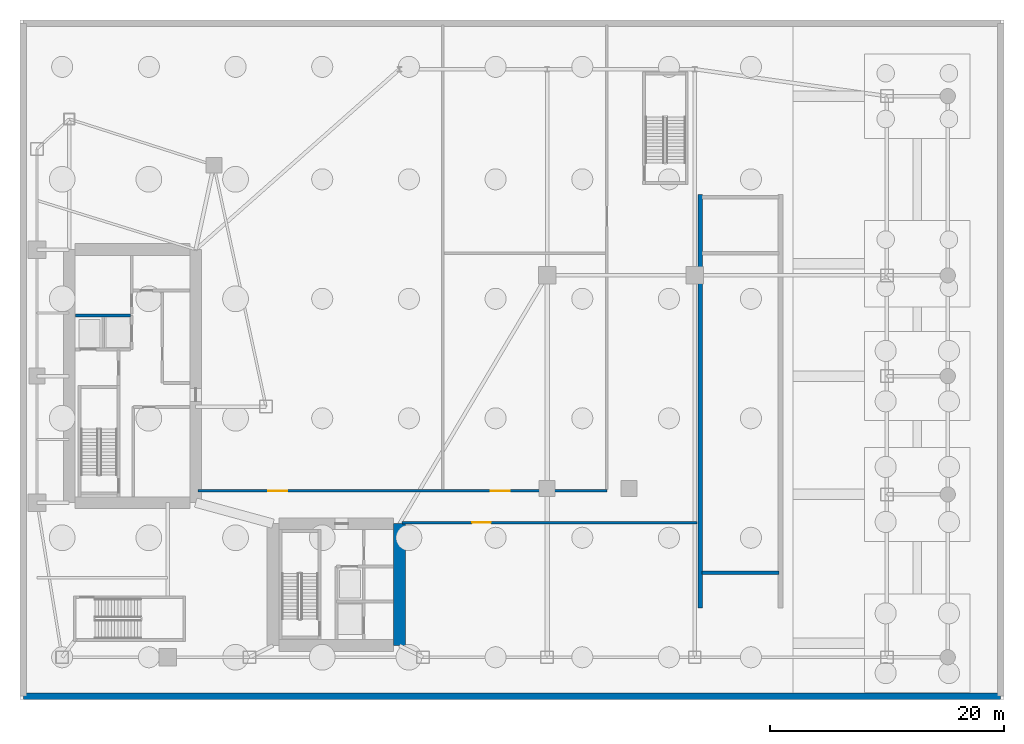
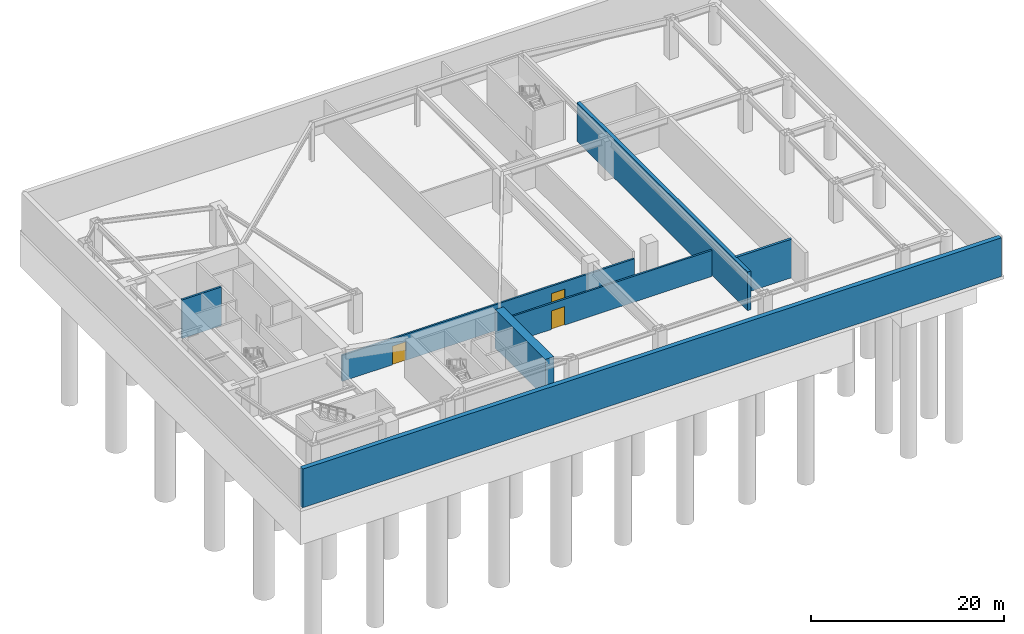
# One storey, part 6 of 12: 7 walls, 3 doors, 3 openings.
"""IFC4 building model written with IfcOpenShell, lengths in metres."""

from ifc_helpers import new_model, si_unit, direction, frame, frame_2d, origin, place, context, subcontext, project, spatial, rectangle, extrude, material, layer, layer_set, type_object, element, fill, save


model = new_model("IFC4")

# Units and contexts
model_context = context("Model", 3, precision=1e-05, world=origin(), true_north=direction((0.0, 1.0)))
body_context = subcontext(model_context, "Body", "Model", "MODEL_VIEW")
ifc_project = project(units=[si_unit("LENGTHUNIT", "METRE"), si_unit("AREAUNIT", "SQUARE_METRE"), si_unit("VOLUMEUNIT", "CUBIC_METRE"), si_unit("PLANEANGLEUNIT", "RADIAN"), si_unit("MASSUNIT", "GRAM", prefix="KILO")], contexts=[model_context])

# Site, building, storey
site_placement = place(None, origin())
site = spatial("IfcSite", under=ifc_project, at=site_placement, CompositionType="ELEMENT")
building_placement = place(site_placement, origin())
building = spatial("IfcBuilding", under=site, at=building_placement, Name="Calvorn Quay Hotel", CompositionType="ELEMENT")
storey_placement = place(building_placement, frame((0.0, 0.0, -10.39990234375)))
storey = spatial("IfcBuildingStorey", under=building, at=storey_placement, Name="B2", CompositionType="ELEMENT", Elevation=-10.39990234375)

# Walls
ifc_material_1 = material(Name="Concrete C45", Category="concrete")
ifc_layer_1 = layer(ifc_material_1, 0.550048828125)
ifc_layer_set_1 = layer_set([ifc_layer_1], Name="WL-BSM-RET-550")
wall_type_1 = type_object("IfcWallType", Name="WL-BSM-RET-550", PredefinedType="USERDEFINED", material=ifc_layer_set_1)
wall_1_placement = place(storey_placement, frame((0.280029296875, 0.280029296875, 0.0), z_axis=(0.0, 0.0, 1.0), x_axis=(1.0, 0.0, 0.0)))
element("IfcWall", 1, at=wall_1_placement, inside=storey, type_object=wall_type_1, Name="B2 Retaining Wall S", ObjectType="RETAINING", PredefinedType="USERDEFINED", context=body_context, shape_type="SweptSolid", body=[
    extrude(rectangle(XDim=83.43994140625, YDim=0.550048828125, at=frame_2d((41.719970703125, 0.0))), origin(), (0.0, 0.0, 1.0), 4.8798828125),
])
wall_2_placement = place(storey_placement, frame((58.080078125, 7.800048828125, 0.0), z_axis=(0.0, 0.0, 1.0), x_axis=(0.0, 1.0, 0.0)))
element("IfcWall", 2, at=wall_2_placement, inside=storey, type_object=wall_type_1, Name="Vehicle Ramp Cheek Wall B2-W", ObjectType="RETAINING", PredefinedType="USERDEFINED", context=body_context, shape_type="SweptSolid", body=[
    extrude(rectangle(XDim=35.300048828125, YDim=0.39990234375, at=frame_2d((17.64990234375, 0.0))), origin(), (0.0, 0.0, 1.0), 4.8798828125),
])
ifc_material_2 = material(Name="Concrete C60", Category="concrete")
ifc_layer_2 = layer(ifc_material_2, 1.0)
ifc_layer_set_2 = layer_set([ifc_layer_2], Name="WL-CORE-1000")
wall_type_2 = type_object("IfcWallType", Name="WL-CORE-1000", PredefinedType="SHEAR", material=ifc_layer_set_2)
wall_3_placement = place(storey_placement, frame((32.39990234375, 4.60009765625, 0.0), z_axis=(0.0, 0.0, 1.0), x_axis=(0.0, 1.0, 0.0)))
element("IfcWall", 3, at=wall_3_placement, inside=storey, type_object=wall_type_2, Name="East Core Shear Wall E (B2)", PredefinedType="SHEAR", context=body_context, shape_type="SweptSolid", body=[
    extrude(rectangle(XDim=10.39990234375, YDim=1.0, at=frame_2d((5.199951171875, 0.0))), origin(), (0.0, 0.0, 1.0), 4.8798828125),
])

# Wall, openings, doors
ifc_material_3 = material(Name="Autoclaved Aerated Masonry Block", Category="masonry")
ifc_layer_3 = layer(ifc_material_3, 0.219970703125)
ifc_layer_set_3 = layer_set([ifc_layer_3], Name="WL-LOBBY-FIRE-220")
wall_type_3 = type_object("IfcWallType", Name="WL-LOBBY-FIRE-220", PredefinedType="SOLIDWALL", material=ifc_layer_set_3)
wall_4_placement = place(storey_placement, frame((15.199951171875, 17.800048828125, 0.0), z_axis=(0.0, 0.0, 1.0), x_axis=(1.0, 0.0, 0.0)))
wall_4 = element("IfcWall", 4, at=wall_4_placement, inside=storey, type_object=wall_type_3, Name="Partition Wall B2-WL-B2-CN", PredefinedType="SOLIDWALL", context=body_context, shape_type="SweptSolid", body=[
    extrude(rectangle(XDim=34.900146484375, YDim=0.219970703125, at=frame_2d((17.4501953125, 0.0))), origin(), (0.0, 0.0, 1.0), 3.27978515625),
])
opening_1_placement = place(wall_4_placement, frame((6.0, 0.0, 0.0)))
opening_1 = element("IfcOpeningElement", 5, at=opening_1_placement, cuts=wall_4, Name="Opening D-B2-01", PredefinedType="OPENING", context=body_context, shape_type="SweptSolid", body=[
    extrude(rectangle(XDim=1.60009765625, YDim=2.35009765625, at=frame_2d((0.800048828125, 1.175048828125))), frame((0.0, 0.119873046875, 0.0), z_axis=(0.0, -1.0, 0.0), x_axis=(1.0, 0.0, 0.0)), (0.0, 0.0, 1.0), 0.239990234375),
])
opening_2_placement = place(wall_4_placement, frame((25.0, 0.0, 0.0)))
opening_2 = element("IfcOpeningElement", 6, at=opening_2_placement, cuts=wall_4, Name="Opening D-B2-02", PredefinedType="OPENING", context=body_context, shape_type="SweptSolid", body=[
    extrude(rectangle(XDim=1.60009765625, YDim=2.35009765625, at=frame_2d((0.800048828125, 1.175048828125))), frame((0.0, 0.119873046875, 0.0), z_axis=(0.0, -1.0, 0.0), x_axis=(1.0, 0.0, 0.0)), (0.0, 0.0, 1.0), 0.239990234375),
])
ifc_material_4 = material(Name="Heavy-Duty Steel Acoustic Plant Fire Door", Category="steel")
door_type = type_object("IfcDoorType", Name="DR-PLANT-DBL-1600", OperationType="NOTDEFINED", PredefinedType="DOOR", material=ifc_material_4)
door_1_placement = place(opening_1_placement, origin())
door_1 = element("IfcDoor", 7, at=door_1_placement, inside=storey, type_object=door_type, Name="Chiller Plant Door", OperationType="SINGLE_SWING_LEFT", OverallHeight=2.35009765625, OverallWidth=1.60009765625, PredefinedType="DOOR", context=body_context, shape_type="SweptSolid", body=[
    extrude(rectangle(XDim=1.60009765625, YDim=2.35009765625, at=frame_2d((0.800048828125, 1.175048828125))), frame((0.0, 0.02490234375, 0.0), z_axis=(0.0, -1.0, 0.0), x_axis=(1.0, 0.0, 0.0)), (0.0, 0.0, 1.0), 0.050048828125),
])
fill(opening_1, door_1)
door_2_placement = place(opening_2_placement, origin())
door_2 = element("IfcDoor", 8, at=door_2_placement, inside=storey, type_object=door_type, Name="Switchgear Room Door", OperationType="SINGLE_SWING_RIGHT", OverallHeight=2.35009765625, OverallWidth=1.60009765625, PredefinedType="DOOR", context=body_context, shape_type="SweptSolid", body=[
    extrude(rectangle(XDim=1.60009765625, YDim=2.35009765625, at=frame_2d((0.800048828125, 1.175048828125))), frame((0.0, 0.02490234375, 0.0), z_axis=(0.0, -1.0, 0.0), x_axis=(1.0, 0.0, 0.0)), (0.0, 0.0, 1.0), 0.050048828125),
])
fill(opening_2, door_2)

# Wall, opening, door
wall_5_placement = place(storey_placement, frame((32.60009765625, 15.10009765625, 0.0), z_axis=(0.0, 0.0, 1.0), x_axis=(1.0, 0.0, 0.0)))
wall_5 = element("IfcWall", 9, at=wall_5_placement, inside=storey, type_object=wall_type_3, Name="Partition Wall B2-WL-B2-CS", PredefinedType="SOLIDWALL", context=body_context, shape_type="SweptSolid", body=[
    extrude(rectangle(XDim=25.199951171875, YDim=0.219970703125, at=frame_2d((12.60009765625, 0.0))), origin(), (0.0, 0.0, 1.0), 3.27978515625),
])
opening_3_placement = place(wall_5_placement, frame((6.0, 0.0, 0.0)))
opening_3 = element("IfcOpeningElement", 10, at=opening_3_placement, cuts=wall_5, Name="Opening D-B2-03", PredefinedType="OPENING", context=body_context, shape_type="SweptSolid", body=[
    extrude(rectangle(XDim=1.60009765625, YDim=2.35009765625, at=frame_2d((0.800048828125, 1.175048828125))), frame((0.0, 0.119873046875, 0.0), z_axis=(0.0, -1.0, 0.0), x_axis=(1.0, 0.0, 0.0)), (0.0, 0.0, 1.0), 0.239990234375),
])
door_3_placement = place(opening_3_placement, origin())
door_3 = element("IfcDoor", 11, at=door_3_placement, inside=storey, type_object=door_type, Name="Water Tank Room Door", OperationType="SINGLE_SWING_LEFT", OverallHeight=2.35009765625, OverallWidth=1.60009765625, PredefinedType="DOOR", context=body_context, shape_type="SweptSolid", body=[
    extrude(rectangle(XDim=1.60009765625, YDim=2.35009765625, at=frame_2d((0.800048828125, 1.175048828125))), frame((0.0, 0.02490234375, 0.0), z_axis=(0.0, -1.0, 0.0), x_axis=(1.0, 0.0, 0.0)), (0.0, 0.0, 1.0), 0.050048828125),
])
fill(opening_3, door_3)

# Walls
ifc_material_5 = material(Name="Concrete C40", Category="concrete")
ifc_layer_4 = layer(ifc_material_5, 0.239990234375)
ifc_layer_set_4 = layer_set([ifc_layer_4], Name="WL-SHAFT-240")
wall_type_4 = type_object("IfcWallType", Name="WL-SHAFT-240", PredefinedType="SOLIDWALL", material=ifc_layer_set_4)
wall_6_placement = place(storey_placement, frame((58.199951171875, 10.800048828125, 0.0), z_axis=(0.0, 0.0, 1.0), x_axis=(1.0, 0.0, 0.0)))
element("IfcWall", 12, at=wall_6_placement, inside=storey, type_object=wall_type_4, Name="Vehicle Ramp Support Pier B2-1", PredefinedType="SOLIDWALL", context=body_context, shape_type="SweptSolid", body=[
    extrude(rectangle(XDim=6.60009765625, YDim=0.300048828125, at=frame_2d((3.300048828125, 0.0))), origin(), (0.0, 0.0, 1.0), 4.8798828125),
])
wall_7_placement = place(storey_placement, frame((4.719970703125, 32.780029296875, 0.0), z_axis=(0.0, 0.0, 1.0), x_axis=(1.0, 0.0, 0.0)))
element("IfcWall", 13, at=wall_7_placement, inside=storey, type_object=wall_type_4, Name="Partition Wall B2-WL-CWW-SLW-N", PredefinedType="SOLIDWALL", context=body_context, shape_type="SweptSolid", body=[
    extrude(rectangle(XDim=4.699951171875, YDim=0.239990234375, at=frame_2d((2.35009765625, 0.0))), origin(), (0.0, 0.0, 1.0), 4.8798828125),
])

save(model, "model.ifc")
